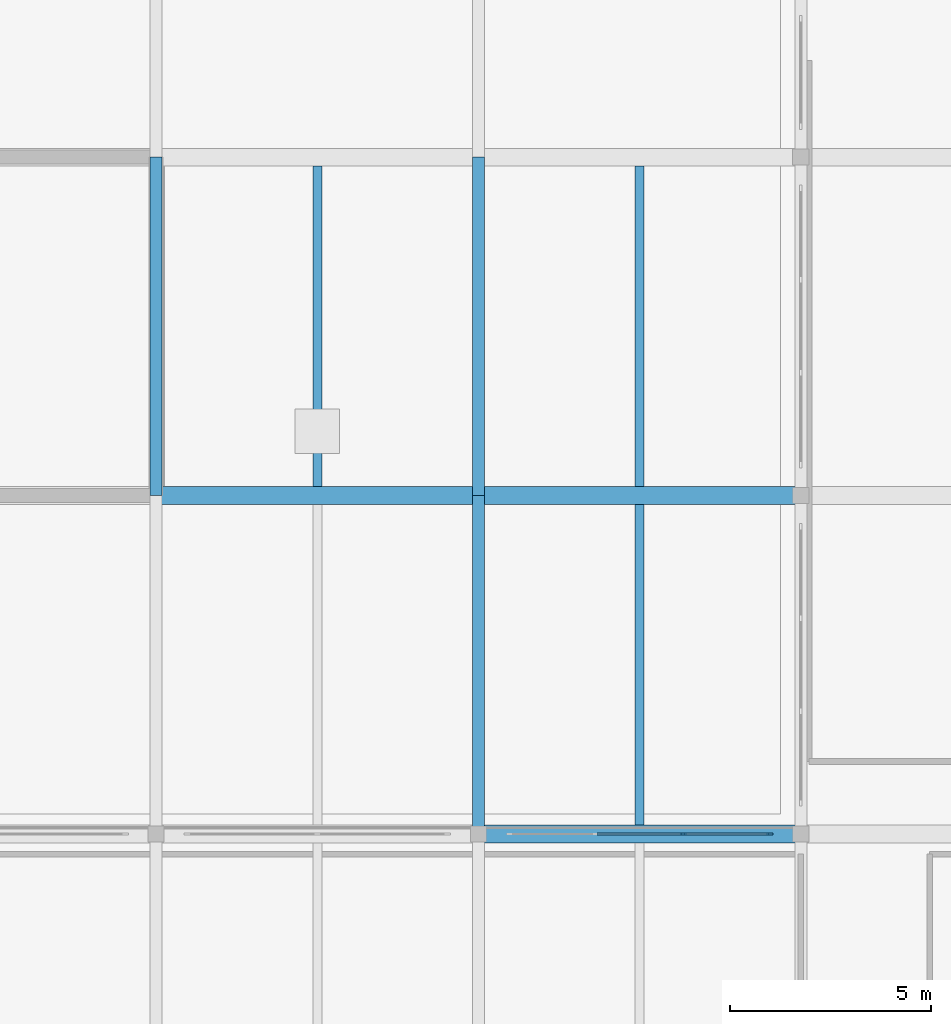
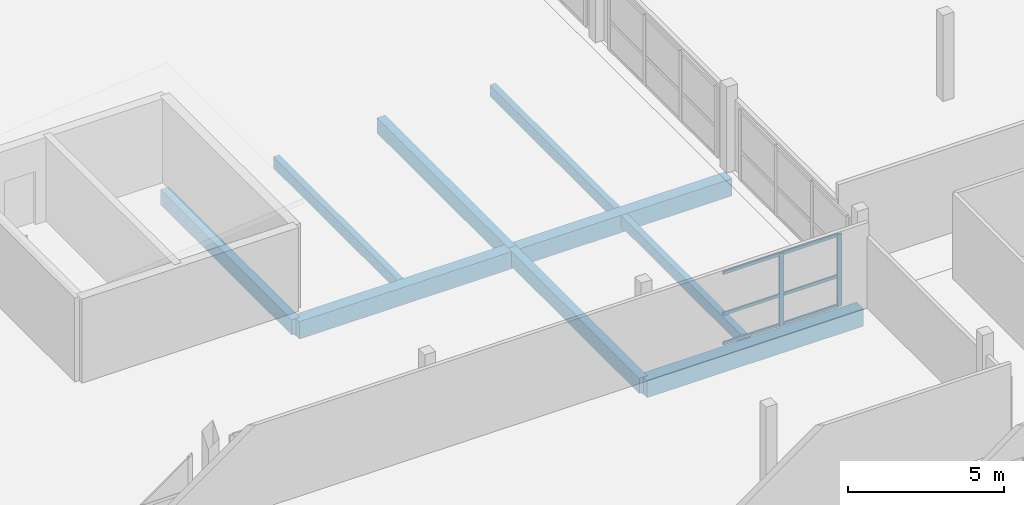
# One storey, part 19 of 51: 9 beams, 8 members, 1 element without a shape of its own.
"""IFC4 building model written with IfcOpenShell, lengths in metres."""

from ifc_helpers import new_model, si_unit, direction, frame, origin, origin_2d, place, context, subcontext, project, spatial, rectangle, extrude, material, material_profile, profile_set, type_object, element, aggregate, save


model = new_model("IFC4")

# Units and contexts
model_context = context("Model", 3, precision=1e-05, world=origin(), true_north=direction((0.0, 1.0)))
body_context = subcontext(model_context, "Body", "Model", "MODEL_VIEW")
ifc_project = project(units=[si_unit("LENGTHUNIT", "METRE"), si_unit("AREAUNIT", "SQUARE_METRE"), si_unit("VOLUMEUNIT", "CUBIC_METRE"), si_unit("PLANEANGLEUNIT", "RADIAN"), si_unit("MASSUNIT", "GRAM", prefix="KILO")], contexts=[model_context])

# Site, building, storey
site_placement = place(None, origin())
site = spatial("IfcSite", under=ifc_project, at=site_placement, CompositionType="ELEMENT")
building_placement = place(site_placement, origin())
building = spatial("IfcBuilding", under=site, at=building_placement, Name="Vharandega Faculty of Natural Sciences", CompositionType="ELEMENT")
storey_placement = place(building_placement, frame((0.0, 0.0, 18.0)))
storey = spatial("IfcBuildingStorey", under=building, at=storey_placement, Name="L04", CompositionType="ELEMENT", Elevation=18.0)

# Curtain wall, members
ifc_material_1 = material(Name="Aluminium and solar-control glass curtain wall", Category="aluminium")
curtain_wall_type = type_object("IfcCurtainWallType", Name="Unitised Curtain Wall System CW-15", PredefinedType="NOTDEFINED", material=ifc_material_1)
curtain_wall_placement = place(storey_placement, origin())
curtain_wall = element("IfcCurtainWall", 1, at=curtain_wall_placement, inside=storey, type_object=curtain_wall_type, Name="Curtain Wall CW-L04-182", PredefinedType="NOTDEFINED")
ifc_material_2 = material(Name="Thermally broken aluminium 6063-T6", Category="aluminium")
ifc_material_profile_1 = material_profile(ifc_material_2, rectangle(XDim=0.06005859375, YDim=0.159912109375, at=origin_2d()), Name="ALU 60x160")
ifc_profile_set_1 = profile_set([ifc_material_profile_1], Name="Thermally broken aluminium 6063-T6")
member_type_1 = type_object("IfcMemberType", Name="CW Mullion 60x160", PredefinedType="MULLION", material=ifc_profile_set_1)
member_1_placement = place(storey_placement, frame((29.086669921875, 64.0, 0.0), z_axis=(0.0, 0.0, 1.0), x_axis=(0.0, 1.0, 0.0)))
member_1 = element("IfcMember", 2, at=member_1_placement, type_object=member_type_1, Name="CW-15 mullion 3", PredefinedType="MULLION", context=body_context, shape_type="SweptSolid", body=[
    extrude(rectangle(XDim=0.06005859375, YDim=0.159912109375, at=origin_2d()), origin(), (0.0, 0.0, 1.0), 2.820068359375),
])
member_2_placement = place(storey_placement, frame((31.22998046875, 64.0, 0.0), z_axis=(0.0, 0.0, 1.0), x_axis=(0.0, 1.0, 0.0)))
member_2 = element("IfcMember", 3, at=member_2_placement, type_object=member_type_1, Name="CW-15 mullion 4", PredefinedType="MULLION", context=body_context, shape_type="SweptSolid", body=[
    extrude(rectangle(XDim=0.06005859375, YDim=0.159912109375, at=origin_2d()), origin(), (0.0, 0.0, 1.0), 2.820068359375),
])
ifc_material_3 = material(Name="Thermally broken aluminium 6063-T6", Category="aluminium")
ifc_material_profile_2 = material_profile(ifc_material_3, rectangle(XDim=0.06005859375, YDim=0.1201171875, at=origin_2d()), Name="ALU 60x120")
ifc_profile_set_2 = profile_set([ifc_material_profile_2], Name="Thermally broken aluminium 6063-T6")
member_type_2 = type_object("IfcMemberType", Name="CW Transom 60x120", PredefinedType="USERDEFINED", material=ifc_profile_set_2)
member_3_placement = place(storey_placement, frame((26.943359375, 64.0, 0.030029296875), z_axis=(1.0, 0.0, 0.0), x_axis=(0.0, 1.0, 0.0)))
member_3 = element("IfcMember", 4, at=member_3_placement, type_object=member_type_2, Name="CW-15 transom 2.1", ObjectType="TRANSOM", PredefinedType="USERDEFINED", context=body_context, shape_type="SweptSolid", body=[
    extrude(rectangle(XDim=0.06005859375, YDim=0.1201171875, at=origin_2d()), origin(), (0.0, 0.0, 1.0), 2.11328125),
])
member_4_placement = place(storey_placement, frame((26.943359375, 64.0, 1.184326171875), z_axis=(1.0, 0.0, 0.0), x_axis=(0.0, 1.0, 0.0)))
member_4 = element("IfcMember", 5, at=member_4_placement, type_object=member_type_2, Name="CW-15 transom 2.2", ObjectType="TRANSOM", PredefinedType="USERDEFINED", context=body_context, shape_type="SweptSolid", body=[
    extrude(rectangle(XDim=0.06005859375, YDim=0.1201171875, at=origin_2d()), origin(), (0.0, 0.0, 1.0), 2.11328125),
])
member_5_placement = place(storey_placement, frame((26.943359375, 64.0, 2.7900390625), z_axis=(1.0, 0.0, 0.0), x_axis=(0.0, 1.0, 0.0)))
member_5 = element("IfcMember", 6, at=member_5_placement, type_object=member_type_2, Name="CW-15 transom 2.3", ObjectType="TRANSOM", PredefinedType="USERDEFINED", context=body_context, shape_type="SweptSolid", body=[
    extrude(rectangle(XDim=0.06005859375, YDim=0.1201171875, at=origin_2d()), origin(), (0.0, 0.0, 1.0), 2.11328125),
])
member_6_placement = place(storey_placement, frame((29.11669921875, 64.0, 0.030029296875), z_axis=(1.0, 0.0, 0.0), x_axis=(0.0, 1.0, 0.0)))
member_6 = element("IfcMember", 7, at=member_6_placement, type_object=member_type_2, Name="CW-15 transom 3.1", ObjectType="TRANSOM", PredefinedType="USERDEFINED", context=body_context, shape_type="SweptSolid", body=[
    extrude(rectangle(XDim=0.06005859375, YDim=0.1201171875, at=origin_2d()), origin(), (0.0, 0.0, 1.0), 2.083251953125),
])
member_7_placement = place(storey_placement, frame((29.11669921875, 64.0, 1.184326171875), z_axis=(1.0, 0.0, 0.0), x_axis=(0.0, 1.0, 0.0)))
member_7 = element("IfcMember", 8, at=member_7_placement, type_object=member_type_2, Name="CW-15 transom 3.2", ObjectType="TRANSOM", PredefinedType="USERDEFINED", context=body_context, shape_type="SweptSolid", body=[
    extrude(rectangle(XDim=0.06005859375, YDim=0.1201171875, at=origin_2d()), origin(), (0.0, 0.0, 1.0), 2.083251953125),
])
member_8_placement = place(storey_placement, frame((29.11669921875, 64.0, 2.7900390625), z_axis=(1.0, 0.0, 0.0), x_axis=(0.0, 1.0, 0.0)))
member_8 = element("IfcMember", 9, at=member_8_placement, type_object=member_type_2, Name="CW-15 transom 3.3", ObjectType="TRANSOM", PredefinedType="USERDEFINED", context=body_context, shape_type="SweptSolid", body=[
    extrude(rectangle(XDim=0.06005859375, YDim=0.1201171875, at=origin_2d()), origin(), (0.0, 0.0, 1.0), 2.083251953125),
])
aggregate(curtain_wall, [member_1, member_2, member_3, member_4, member_5, member_6, member_7, member_8])

# Beams
ifc_material_4 = material(Name="Glulam GL28h", Category="wood")
ifc_material_profile_3 = material_profile(ifc_material_4, rectangle(XDim=0.300048828125, YDim=0.60009765625, at=origin_2d()), Name="GL28h 300x600")
ifc_profile_set_3 = profile_set([ifc_material_profile_3], Name="Glulam GL28h")
beam_type_1 = type_object("IfcBeamType", Name="Glulam Floor Beam 300x600", PredefinedType="BEAM", material=ifc_profile_set_3)
beam_1_placement = place(storey_placement, frame((16.0, 72.39990234375, -0.56005859375), z_axis=(0.0, 1.0, 0.0), x_axis=(-1.0, 0.0, 0.0)))
element("IfcBeam", 10, at=beam_1_placement, inside=storey, type_object=beam_type_1, Name="Beam L04 3/K-L", PredefinedType="BEAM", context=body_context, shape_type="SweptSolid", body=[
    extrude(rectangle(XDim=0.300048828125, YDim=0.60009765625, at=origin_2d()), origin(), (0.0, 0.0, 1.0), 8.400146484375),
])
beam_2_placement = place(storey_placement, frame((24.0, 64.0, -0.56005859375), z_axis=(0.0, 1.0, 0.0), x_axis=(-1.0, 0.0, 0.0)))
element("IfcBeam", 11, at=beam_2_placement, inside=storey, type_object=beam_type_1, Name="Beam L04 4/J-K", PredefinedType="BEAM", context=body_context, shape_type="SweptSolid", body=[
    extrude(rectangle(XDim=0.300048828125, YDim=0.60009765625, at=origin_2d()), origin(), (0.0, 0.0, 1.0), 8.39990234375),
])
beam_3_placement = place(storey_placement, frame((24.0, 72.39990234375, -0.56005859375), z_axis=(0.0, 1.0, 0.0), x_axis=(-1.0, 0.0, 0.0)))
element("IfcBeam", 12, at=beam_3_placement, inside=storey, type_object=beam_type_1, Name="Beam L04 4/K-L", PredefinedType="BEAM", context=body_context, shape_type="SweptSolid", body=[
    extrude(rectangle(XDim=0.300048828125, YDim=0.60009765625, at=origin_2d()), origin(), (0.0, 0.0, 1.0), 8.400146484375),
])
ifc_material_5 = material(Name="Glulam GL32h", Category="wood")
ifc_material_profile_4 = material_profile(ifc_material_5, rectangle(XDim=0.43994140625, YDim=0.679931640625, at=origin_2d()), Name="GL32h 440x680")
ifc_profile_set_4 = profile_set([ifc_material_profile_4], Name="Glulam GL32h")
beam_type_2 = type_object("IfcBeamType", Name="Glulam Girder 440x680", PredefinedType="BEAM", material=ifc_profile_set_4)
for number, where, z_axis, x_axis, name in (
    (13, (24.0, 64.0, -0.60009765625), (1.0, 0.0, 0.0), (0.0, 1.0, 0.0), "Beam L04 J/4-5"),
    (14, (16.0, 72.39990234375, -0.60009765625), (1.0, 0.0, 0.0), (0.0, 1.0, 0.0), "Beam L04 K/3-4"),
    (15, (24.0, 72.39990234375, -0.60009765625), (1.0, 0.0, 0.0), (0.0, 1.0, 0.0), "Beam L04 K/4-5"),
):
    element("IfcBeam", number, at=place(storey_placement, frame(where, z_axis=z_axis, x_axis=x_axis)), inside=storey, type_object=beam_type_2, Name=name, PredefinedType="BEAM", context=body_context, shape_type="SweptSolid", body=[
        extrude(rectangle(XDim=0.43994140625, YDim=0.679931640625, at=origin_2d()), origin(), (0.0, 0.0, 1.0), 8.0),
    ])
ifc_material_6 = material(Name="Glulam GL28h", Category="wood")
ifc_material_profile_5 = material_profile(ifc_material_6, rectangle(XDim=0.219970703125, YDim=0.43994140625, at=origin_2d()), Name="GL28h 220x440")
ifc_profile_set_5 = profile_set([ifc_material_profile_5], Name="Glulam GL28h")
beam_type_3 = type_object("IfcBeamType", Name="Glulam Secondary Joist 220x440", PredefinedType="JOIST", material=ifc_profile_set_5)
for number, where, z_axis, x_axis, name in (
    (16, (20.0, 72.6201171875, -0.47998046875), (0.0, 1.0, 0.0), (-1.0, 0.0, 0.0), "Secondary Joist L04 3-4/K-L"),
    (17, (28.0, 64.219970703125, -0.47998046875), (0.0, 1.0, 0.0), (-1.0, 0.0, 0.0), "Secondary Joist L04 4-5/J-K"),
    (18, (28.0, 72.6201171875, -0.47998046875), (0.0, 1.0, 0.0), (-1.0, 0.0, 0.0), "Secondary Joist L04 4-5/K-L"),
):
    element("IfcBeam", number, at=place(storey_placement, frame(where, z_axis=z_axis, x_axis=x_axis)), inside=storey, type_object=beam_type_3, Name=name, PredefinedType="JOIST", context=body_context, shape_type="SweptSolid", body=[
        extrude(rectangle(XDim=0.219970703125, YDim=0.43994140625, at=origin_2d()), origin(), (0.0, 0.0, 1.0), 7.9599609375),
    ])

save(model, "model.ifc")
